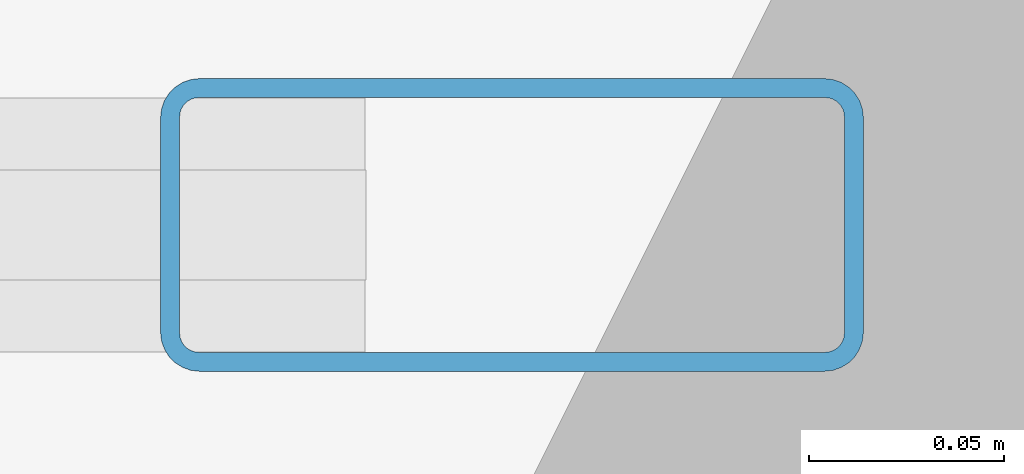
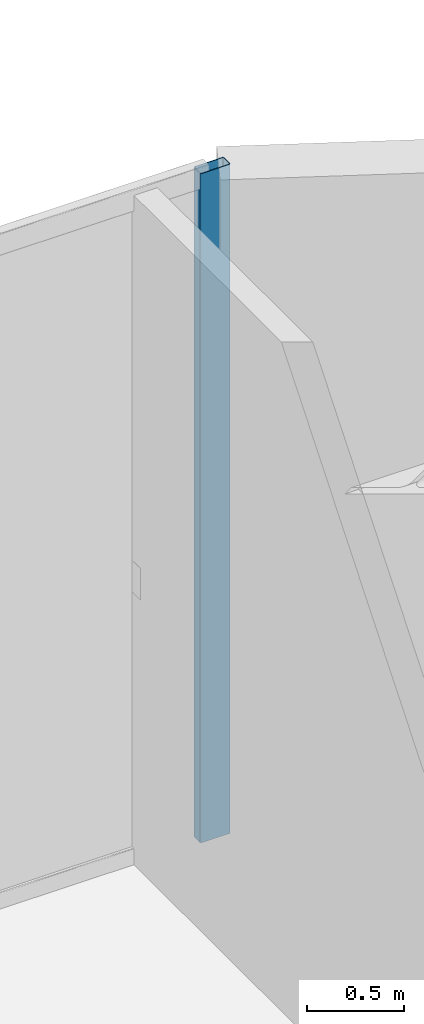
# One storey, part 27 of 39: 1 member, 1 element without a shape of its own.
"""IFC4 building model written with IfcOpenShell, lengths in metres."""

from ifc_helpers import new_model, si_unit, direction, frame, origin, origin_2d, place, context, subcontext, project, spatial, hollow_rectangle, extrude, material, layer, layer_set, material_profile, profile_set, type_object, element, aggregate, save


model = new_model("IFC4")

# Units and contexts
model_context = context("Model", 3, precision=1e-05, world=origin(), true_north=direction((0.0, 1.0)))
body_context = subcontext(model_context, "Body", "Model", "MODEL_VIEW")
ifc_project = project(units=[si_unit("LENGTHUNIT", "METRE"), si_unit("AREAUNIT", "SQUARE_METRE"), si_unit("VOLUMEUNIT", "CUBIC_METRE"), si_unit("PLANEANGLEUNIT", "RADIAN"), si_unit("MASSUNIT", "GRAM", prefix="KILO")], contexts=[model_context])

# Site, building, storey
site_placement = place(None, origin())
site = spatial("IfcSite", under=ifc_project, at=site_placement, CompositionType="ELEMENT")
building_placement = place(site_placement, origin())
building = spatial("IfcBuilding", under=site, at=building_placement, Name="Tarnavaz Court Tower", CompositionType="ELEMENT")
storey_placement = place(building_placement, frame((0.0, 0.0, 68.699951171875)))
storey = spatial("IfcBuildingStorey", under=building, at=storey_placement, Name="L18", CompositionType="ELEMENT", Elevation=68.699951171875)

# Curtain wall, member
ifc_material_1 = material(Name="Anodised Aluminium 6063-T6 and Solar Low-E Glazing", Category="aluminium")
ifc_layer = layer(ifc_material_1, 0.179931640625)
ifc_layer_set = layer_set([ifc_layer], Name="Anodised Aluminium 6063-T6 and Solar Low-E Glazing")
curtain_wall_type = type_object("IfcCurtainWallType", Name="CW-SYS-02", PredefinedType="NOTDEFINED", material=ifc_layer_set)
curtain_wall_placement = place(storey_placement, origin())
curtain_wall = element("IfcCurtainWall", 1, at=curtain_wall_placement, inside=storey, type_object=curtain_wall_type, Name="L18 Iwan Prow Curtain Wall 7", PredefinedType="NOTDEFINED")
ifc_material_2 = material(Name="Anodised Aluminium 6063-T6", Category="aluminium")
ifc_material_profile = material_profile(ifc_material_2, hollow_rectangle(XDim=0.074951171875, YDim=0.179931640625, WallThickness=0.0048828125, InnerFilletRadius=0.0048828125, OuterFilletRadius=0.010009765625, at=origin_2d()), Name="ALU RHS 180X75X5")
ifc_profile_set = profile_set([ifc_material_profile], Name="Anodised Aluminium 6063-T6")
member_type = type_object("IfcMemberType", Name="CW-MUL-180", PredefinedType="MULLION", material=ifc_profile_set)
member_placement = place(storey_placement, frame((4.3125, 25.050048828125, 0.0), z_axis=(0.0, 0.0, 1.0), x_axis=(0.0, 1.0, 0.0)))
member = element("IfcMember", 2, at=member_placement, type_object=member_type, Name="CW mullion 4", PredefinedType="MULLION", context=body_context, shape_type="SweptSolid", body=[
    extrude(hollow_rectangle(XDim=0.074951171875, YDim=0.179931640625, WallThickness=0.0048828125, InnerFilletRadius=0.0048828125, OuterFilletRadius=0.010009765625, at=origin_2d()), origin(), (0.0, 0.0, 1.0), 4.199951171875),
])
aggregate(curtain_wall, [member])

save(model, "model.ifc")
